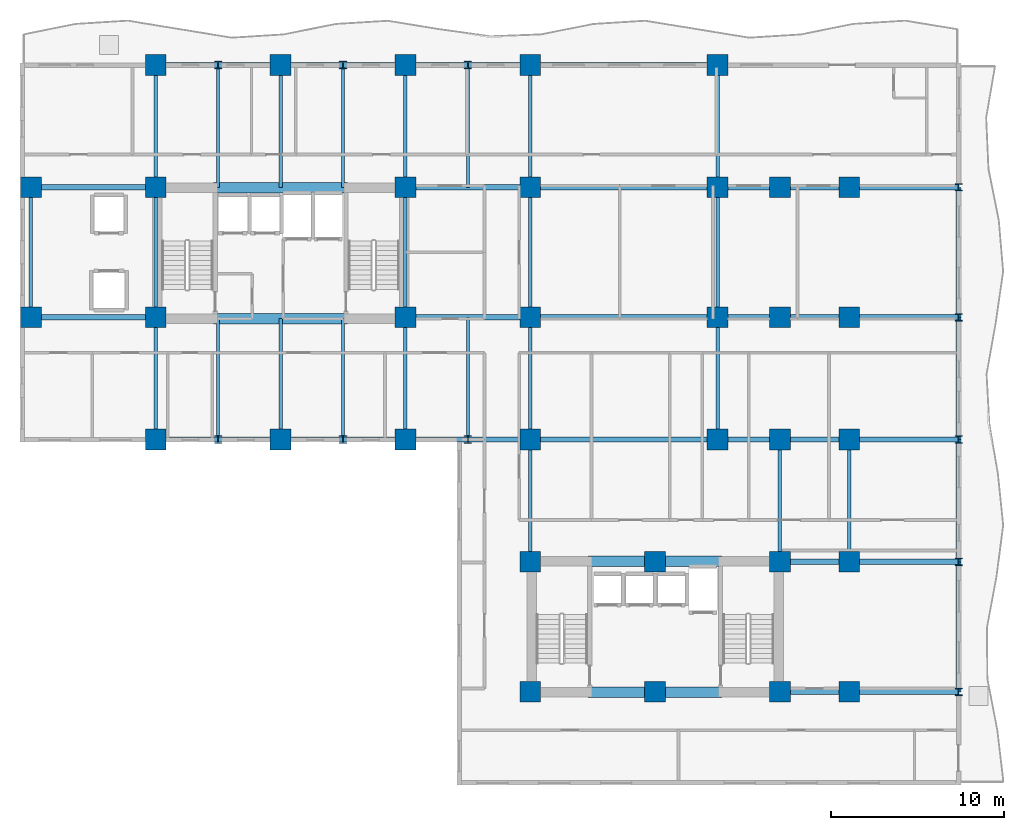
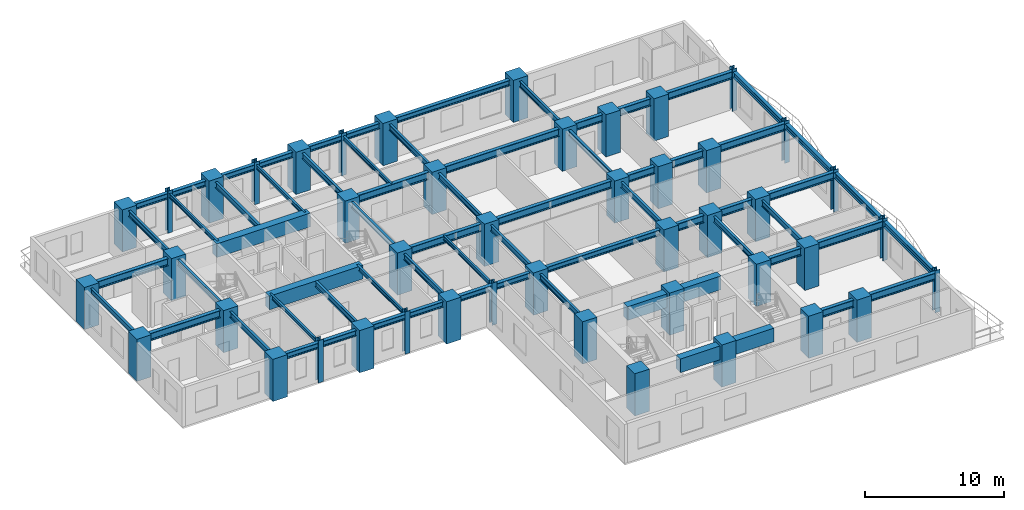
# One storey, part 1 of 11: 65 beams, 45 columns.
"""IFC4 building model written with IfcOpenShell, lengths in metres."""

import ifcopenshell
import ifcopenshell.guid

model = None  # the IFC model being written
_history = None  # IfcOwnerHistory: only IFC2X3 demands one
_inside = {}  # id of a spatial element -> (the spatial element, [elements in it])
_under = {}  # id of a project, library or spatial element -> (it, [spatial elements below it])
_declared = {}  # id of a project -> (the project, [libraries it declares])
_typed = {}  # id of a type object -> (the type object, [elements of that type])
_made_of = {}  # id of a material, layer set ... -> (it, [elements and type objects made of it])


def new_model(schema):
    """Start an empty IFC model of exactly this schema.

    Asked for "IFC4X3", IfcOpenShell would pick the latest addendum, in which some entities
    have other attributes; the version numbers below select the first issue.
    IFC2X3 requires an IfcOwnerHistory on every rooted entity: one is made here for all.
    """
    global model, _history
    if schema == "IFC4X3":
        model = ifcopenshell.file(schema_version=(4, 3, 0, 0))
    else:
        model = ifcopenshell.file(schema=schema)
    _inside.clear()
    _under.clear()
    _declared.clear()
    _typed.clear()
    _made_of.clear()
    _history = None
    if model.schema == "IFC2X3":
        org = make("IfcOrganization", Name="unknown")
        user = make(
            "IfcPersonAndOrganization",
            ThePerson=make("IfcPerson", FamilyName="unknown"),
            TheOrganization=org,
        )
        app = make(
            "IfcApplication",
            ApplicationDeveloper=org,
            Version="unknown",
            ApplicationFullName="unknown",
            ApplicationIdentifier="unknown",
        )
        _history = make(
            "IfcOwnerHistory",
            OwningUser=user,
            OwningApplication=app,
            ChangeAction="ADDED",
            CreationDate=0,
        )
    return model


def make(cls, **values):
    """One entity of the class cls with the attributes given. An attribute that is None is left unset."""
    return model.create_entity(
        cls, **{name: value for name, value in values.items() if value is not None}
    )


def rooted(cls, **values):
    """An entity with a GlobalId (a new one), such as an element, a storey or a relation."""
    return make(cls, GlobalId=ifcopenshell.guid.new(), OwnerHistory=_history, **values)


def si_unit(unit_type, name, prefix=None):
    """IfcSIUnit, for example si_unit("LENGTHUNIT", "METRE", prefix="MILLI")."""
    return make("IfcSIUnit", UnitType=unit_type, Prefix=prefix, Name=name)


def assignment(units):
    """IfcUnitAssignment: the units of a project."""
    return None if units is None else make("IfcUnitAssignment", Units=units)


def point(xyz):
    """IfcCartesianPoint."""
    return None if xyz is None else make("IfcCartesianPoint", Coordinates=xyz)


def direction(xyz):
    """IfcDirection."""
    return None if xyz is None else make("IfcDirection", DirectionRatios=xyz)


def frame(location, z_axis=None, x_axis=None):
    """IfcAxis2Placement3D, a coordinate frame: its origin and axes. An axis left out is left unset."""
    return make(
        "IfcAxis2Placement3D",
        Location=point(location),
        Axis=direction(z_axis),
        RefDirection=direction(x_axis),
    )


def frame_2d(location, x_axis=None):
    """IfcAxis2Placement2D, a coordinate frame in the plane: its origin and x axis."""
    return make(
        "IfcAxis2Placement2D", Location=point(location), RefDirection=direction(x_axis)
    )


def origin():
    """The frame at (0, 0, 0) with its axes left unset."""
    return frame((0.0, 0.0, 0.0))


def origin_2d():
    """The frame at (0, 0) in the plane with its x axis left unset."""
    return frame_2d((0.0, 0.0))


def place(relative_to, where):
    """IfcLocalPlacement: puts the frame where relative to a parent placement (None: the world)."""
    return make(
        "IfcLocalPlacement", PlacementRelTo=relative_to, RelativePlacement=where
    )


def context(
    kind, dimensions, precision=None, world=None, true_north=None, identifier=None
):
    """IfcGeometricRepresentationContext, for example the 3D "Model" context."""
    return make(
        "IfcGeometricRepresentationContext",
        ContextIdentifier=identifier,
        ContextType=kind,
        CoordinateSpaceDimension=dimensions,
        Precision=precision,
        WorldCoordinateSystem=world,
        TrueNorth=true_north,
    )


def subcontext(parent, identifier, kind, view, scale=None):
    """IfcGeometricRepresentationSubContext, for example "Body" below "Model"."""
    return make(
        "IfcGeometricRepresentationSubContext",
        ContextIdentifier=identifier,
        ContextType=kind,
        ParentContext=parent,
        TargetScale=scale,
        TargetView=view,
    )


def project(units=None, contexts=None):
    """IfcProject with its units and contexts."""
    return rooted(
        "IfcProject",
        Name="project",
        RepresentationContexts=contexts,
        UnitsInContext=assignment(units),
    )


def spatial(cls, under=None, at=None, **own):
    """A site, building, storey or space (cls), placed at a placement, below another one or the project."""
    s = rooted(cls, ObjectPlacement=at, **own)
    if under is not None:
        _under.setdefault(under.id(), (under, []))[1].append(s)
    return s


def profile(cls, at=None, kind="AREA", **sizes):
    """A parametric profile (cls). Its sizes go by their IFC names, for example OverallWidth=200.0."""
    return make(cls, ProfileType=kind, Position=at, **sizes)


def rectangle(**sizes):
    """IfcRectangleProfileDef."""
    return profile("IfcRectangleProfileDef", **sizes)


def i_section(**sizes):
    """IfcIShapeProfileDef."""
    return profile("IfcIShapeProfileDef", **sizes)


def extrude(swept, where, along, depth):
    """IfcExtrudedAreaSolid: the profile swept, set in the frame where, extruded along a direction by depth."""
    return make(
        "IfcExtrudedAreaSolid",
        SweptArea=swept,
        Position=where,
        ExtrudedDirection=direction(along),
        Depth=depth,
    )


def shape(context_of_items, identifier, shape_type, items):
    """IfcShapeRepresentation: the items that make up one representation, for example the "Body"."""
    return make(
        "IfcShapeRepresentation",
        ContextOfItems=context_of_items,
        RepresentationIdentifier=identifier,
        RepresentationType=shape_type,
        Items=items,
    )


def source(mapping_origin, context_of_items, identifier, shape_type, items):
    """IfcRepresentationMap: a shape defined once, which mapped items show again and again."""
    return make(
        "IfcRepresentationMap",
        MappingOrigin=mapping_origin,
        MappedRepresentation=shape(context_of_items, identifier, shape_type, items),
    )


def transform(
    local_origin,
    x_axis=None,
    y_axis=None,
    z_axis=None,
    scale=None,
    scale2=None,
    scale3=None,
    uniform=True,
):
    """IfcCartesianTransformationOperator3D, or its non-uniform kind. x_axis, y_axis, z_axis: its Axis1, 2, 3."""
    if uniform:
        return make(
            "IfcCartesianTransformationOperator3D",
            Axis1=direction(x_axis),
            Axis2=direction(y_axis),
            LocalOrigin=point(local_origin),
            Scale=scale,
            Axis3=direction(z_axis),
        )
    return make(
        "IfcCartesianTransformationOperator3DnonUniform",
        Axis1=direction(x_axis),
        Axis2=direction(y_axis),
        LocalOrigin=point(local_origin),
        Scale=scale,
        Axis3=direction(z_axis),
        Scale2=scale2,
        Scale3=scale3,
    )


def mapped(mapping_source, mapping_target):
    """IfcMappedItem: shows the shape of a source again, moved by a transform."""
    return make(
        "IfcMappedItem", MappingSource=mapping_source, MappingTarget=mapping_target
    )


def material(Name=None, Category=None):
    """IfcMaterial."""
    return make("IfcMaterial", Name=Name, Category=Category)


def material_profile(
    of_material, cross_section, Name=None, Category=None, Priority=None
):
    """IfcMaterialProfile: a cross section and its material."""
    return make(
        "IfcMaterialProfile",
        Name=Name,
        Material=of_material,
        Profile=cross_section,
        Priority=Priority,
        Category=Category,
    )


def profile_set(profiles, Name=None, composite=None):
    """IfcMaterialProfileSet."""
    return make(
        "IfcMaterialProfileSet",
        Name=Name,
        MaterialProfiles=profiles,
        CompositeProfile=composite,
    )


def made_of(thing, what):
    """Note that an element or type object is made of a material, layer set ...; save() writes the relation."""
    if what is not None:
        _made_of.setdefault(what.id(), (what, []))[1].append(thing)
    return thing


def type_object(cls, material=None, **own):
    """A type object (cls), such as IfcWallType, which elements share."""
    return made_of(rooted(cls, **own), material)


def element(
    cls,
    number,
    at=None,
    inside=None,
    cuts=None,
    type_object=None,
    material=None,
    context=None,
    identifier="Body",
    shape_type=None,
    held_by="IfcProductDefinitionShape",
    body=None,
    shapes=None,
    **own,
):
    """One element of the class cls, such as IfcWall. Its Tag is "e" and its number.

    at: its placement. inside: the storey or other place that contains it. cuts: it is an
    opening in that element (IfcRelVoidsElement). A single representation is given by context,
    identifier, shape_type and body (its items); several are given by shapes. held_by: the class
    of the entity that holds the representations. save() writes the other relations.
    """
    e = rooted(cls, Tag="e%d" % number, ObjectPlacement=at, **own)
    if body is not None:
        shapes = [shape(context, identifier, shape_type, body)]
    if shapes is not None:
        e.Representation = make(held_by, Representations=shapes)
    if inside is not None:
        _inside.setdefault(inside.id(), (inside, []))[1].append(e)
    if cuts is not None:
        rooted(
            "IfcRelVoidsElement", RelatingBuildingElement=cuts, RelatedOpeningElement=e
        )
    if type_object is not None:
        _typed.setdefault(type_object.id(), (type_object, []))[1].append(e)
    return made_of(e, material)


def aggregate(whole, parts):
    """IfcRelAggregates: a whole, such as a stair, and the parts it consists of."""
    return rooted("IfcRelAggregates", RelatingObject=whole, RelatedObjects=parts)


def save(model, path):
    """Write the relations noted so far, then the file.

    IfcRelAggregates (storeys below a building ...), IfcRelContainedInSpatialStructure (elements
    in a storey), IfcRelDefinesByType, IfcRelAssociatesMaterial and IfcRelDeclares: one each for
    every whole, place, type object, material and project.
    """
    for whole, parts in _under.values():
        aggregate(whole, parts)
    for where, things in _inside.values():
        rooted(
            "IfcRelContainedInSpatialStructure",
            RelatedElements=things,
            RelatingStructure=where,
        )
    for kind, things in _typed.values():
        rooted("IfcRelDefinesByType", RelatedObjects=things, RelatingType=kind)
    for what, things in _made_of.values():
        rooted("IfcRelAssociatesMaterial", RelatedObjects=things, RelatingMaterial=what)
    for by, libraries in _declared.values():
        rooted("IfcRelDeclares", RelatingContext=by, RelatedDefinitions=libraries)
    model.write(path)


model = new_model("IFC4")

# Units and contexts
model_context = context("Model", 3, precision=1e-05, world=origin(), true_north=direction((0.0, 1.0)))
body_context = subcontext(model_context, "Body", "Model", "MODEL_VIEW")
ifc_project = project(units=[si_unit("LENGTHUNIT", "METRE"), si_unit("AREAUNIT", "SQUARE_METRE"), si_unit("VOLUMEUNIT", "CUBIC_METRE"), si_unit("PLANEANGLEUNIT", "RADIAN"), si_unit("MASSUNIT", "GRAM", prefix="KILO")], contexts=[model_context])

# Site, building, storey
site_placement = place(None, origin())
site = spatial("IfcSite", under=ifc_project, at=site_placement, CompositionType="ELEMENT")
building_placement = place(site_placement, origin())
building = spatial("IfcBuilding", under=site, at=building_placement, Name="Kaliganga Portal Commons", CompositionType="ELEMENT")
storey_placement = place(building_placement, frame((0.0, 0.0, 86.0)))
storey = spatial("IfcBuildingStorey", under=building, at=storey_placement, Name="L21", CompositionType="ELEMENT", Elevation=86.0)

# Columns
ifc_material_1 = material(Name="Concrete C60/75", Category="concrete")
ifc_material_profile_1 = material_profile(ifc_material_1, rectangle(XDim=1.199951171875, YDim=1.199951171875, at=origin_2d()), Name="RC 1200x1200")
ifc_profile_set_1 = profile_set([ifc_material_profile_1], Name="Concrete C60/75")
column_type_1 = type_object("IfcColumnType", Name="COL-MEGA-Z2", PredefinedType="COLUMN", material=ifc_profile_set_1)
shared_shape_1 = source(origin(), body_context, "Body", "SweptSolid", [
    extrude(rectangle(XDim=1.199951171875, YDim=1.199951171875, at=origin_2d()), origin(), (0.0, 0.0, 1.0), 3.699951171875),
])
for number, where, z_axis, x_axis, name in (
    (1, (7.199951171875, 28.64990234375, 0.0), (0.0, 0.0, 1.0), (1.0, 0.0, 0.0), "Column MC-03 L21"),
    (2, (7.199951171875, 36.14990234375, 0.0), (0.0, 0.0, 1.0), (1.0, 0.0, 0.0), "Column MC-03 L21"),
    (3, (14.39990234375, 21.60009765625, 0.0), (0.0, 0.0, 1.0), (1.0, 0.0, 0.0), "Column MC-03 L21"),
    (4, (14.39990234375, 28.64990234375, 0.0), (0.0, 0.0, 1.0), (1.0, 0.0, 0.0), "Column MC-03 L21"),
    (5, (14.39990234375, 36.14990234375, 0.0), (0.0, 0.0, 1.0), (1.0, 0.0, 0.0), "Column MC-03 L21"),
    (6, (14.39990234375, 43.199951171875, 0.0), (0.0, 0.0, 1.0), (1.0, 0.0, 0.0), "Column MC-03 L21"),
    (7, (21.60009765625, 21.60009765625, 0.0), (0.0, 0.0, 1.0), (1.0, 0.0, 0.0), "Column MC-03 L21"),
    (8, (21.60009765625, 43.199951171875, 0.0), (0.0, 0.0, 1.0), (1.0, 0.0, 0.0), "Column MC-03 L21"),
    (9, (28.800048828125, 21.60009765625, 0.0), (0.0, 0.0, 1.0), (1.0, 0.0, 0.0), "Column MC-03 L21"),
    (10, (28.800048828125, 28.64990234375, 0.0), (0.0, 0.0, 1.0), (1.0, 0.0, 0.0), "Column MC-03 L21"),
    (11, (28.800048828125, 36.14990234375, 0.0), (0.0, 0.0, 1.0), (1.0, 0.0, 0.0), "Column MC-03 L21"),
    (12, (28.800048828125, 43.199951171875, 0.0), (0.0, 0.0, 1.0), (1.0, 0.0, 0.0), "Column MC-03 L21"),
    (13, (36.0, 21.60009765625, 0.0), (0.0, 0.0, 1.0), (1.0, 0.0, 0.0), "Column MC-03 L21"),
    (14, (36.0, 43.199951171875, 0.0), (0.0, 0.0, 1.0), (1.0, 0.0, 0.0), "Column MC-03 L21"),
    (15, (36.0, 28.64990234375, 0.0), (0.0, 0.0, 1.0), (1.0, 0.0, 0.0), "Column MC-03 L21"),
    (16, (36.0, 36.14990234375, 0.0), (0.0, 0.0, 1.0), (1.0, 0.0, 0.0), "Column MC-03 L21"),
    (17, (46.800048828125, 21.60009765625, 0.0), (0.0, 0.0, 1.0), (1.0, 0.0, 0.0), "Column MC-03 L21"),
    (18, (46.800048828125, 28.64990234375, 0.0), (0.0, 0.0, 1.0), (1.0, 0.0, 0.0), "Column MC-03 L21"),
    (19, (46.800048828125, 36.14990234375, 0.0), (0.0, 0.0, 1.0), (1.0, 0.0, 0.0), "Column MC-03 L21"),
    (20, (46.800048828125, 43.199951171875, 0.0), (0.0, 0.0, 1.0), (1.0, 0.0, 0.0), "Column MC-03 L21"),
    (21, (36.0, 7.050048828125, 0.0), (0.0, 0.0, 1.0), (1.0, 0.0, 0.0), "Column MC-03 L21"),
    (22, (36.0, 14.550048828125, 0.0), (0.0, 0.0, 1.0), (1.0, 0.0, 0.0), "Column MC-03 L21"),
    (23, (43.199951171875, 7.050048828125, 0.0), (0.0, 0.0, 1.0), (1.0, 0.0, 0.0), "Column MC-03 L21"),
    (24, (43.199951171875, 14.550048828125, 0.0), (0.0, 0.0, 1.0), (1.0, 0.0, 0.0), "Column MC-03 L21"),
    (25, (50.39990234375, 7.050048828125, 0.0), (0.0, 0.0, 1.0), (1.0, 0.0, 0.0), "Column MC-03 L21"),
    (26, (50.39990234375, 14.550048828125, 0.0), (0.0, 0.0, 1.0), (1.0, 0.0, 0.0), "Column MC-03 L21"),
    (27, (50.39990234375, 21.60009765625, 0.0), (0.0, 0.0, 1.0), (1.0, 0.0, 0.0), "Column MC-03 L21"),
    (28, (50.39990234375, 28.64990234375, 0.0), (0.0, 0.0, 1.0), (1.0, 0.0, 0.0), "Column MC-03 L21"),
    (29, (50.39990234375, 36.14990234375, 0.0), (0.0, 0.0, 1.0), (1.0, 0.0, 0.0), "Column MC-03 L21"),
    (30, (54.39990234375, 7.050048828125, 0.0), (0.0, 0.0, 1.0), (1.0, 0.0, 0.0), "Column MC-03 L21"),
    (31, (54.39990234375, 14.550048828125, 0.0), (0.0, 0.0, 1.0), (1.0, 0.0, 0.0), "Column MC-03 L21"),
    (32, (54.39990234375, 21.60009765625, 0.0), (0.0, 0.0, 1.0), (1.0, 0.0, 0.0), "Column MC-03 L21"),
    (33, (54.39990234375, 28.64990234375, 0.0), (0.0, 0.0, 1.0), (1.0, 0.0, 0.0), "Column MC-03 L21"),
    (34, (54.39990234375, 36.14990234375, 0.0), (0.0, 0.0, 1.0), (1.0, 0.0, 0.0), "Column MC-03 L21"),
):
    element("IfcColumn", number, at=place(storey_placement, frame(where, z_axis=z_axis, x_axis=x_axis)), inside=storey, type_object=column_type_1, Name=name, PredefinedType="COLUMN", context=body_context, shape_type="MappedRepresentation", body=[
        mapped(shared_shape_1, transform((0.0, 0.0, 0.0), x_axis=(1.0, 0.0, 0.0), y_axis=(0.0, 1.0, 0.0), z_axis=(0.0, 0.0, 1.0), scale=1.0)),
    ])
ifc_material_2 = material(Name="Structural steel S460M", Category="steel")
ifc_material_profile_2 = material_profile(ifc_material_2, i_section(OverallWidth=0.408935546875, OverallDepth=0.429931640625, WebThickness=0.0244140625, FlangeThickness=0.033447265625, FilletRadius=0.014892578125, at=origin_2d()), Name="HD 400x421")
ifc_profile_set_2 = profile_set([ifc_material_profile_2], Name="Structural steel S460M wide-flange")
column_type_2 = type_object("IfcColumnType", Name="COL-TUBE-B2", PredefinedType="COLUMN", material=ifc_profile_set_2)
shared_shape_2 = source(origin(), body_context, "Body", "SweptSolid", [
    extrude(i_section(OverallWidth=0.408935546875, OverallDepth=0.429931640625, WebThickness=0.0244140625, FlangeThickness=0.033447265625, FilletRadius=0.014892578125, at=origin_2d()), origin(), (0.0, 0.0, 1.0), 3.699951171875),
])
for number, where, z_axis, x_axis, name in (
    (35, (18.0, 21.60009765625, 0.0), (0.0, 0.0, 1.0), (1.0, 0.0, 0.0), "Column TC-02 L21"),
    (36, (18.0, 43.199951171875, 0.0), (0.0, 0.0, 1.0), (1.0, 0.0, 0.0), "Column TC-02 L21"),
    (37, (25.199951171875, 21.60009765625, 0.0), (0.0, 0.0, 1.0), (1.0, 0.0, 0.0), "Column TC-02 L21"),
    (38, (25.199951171875, 43.199951171875, 0.0), (0.0, 0.0, 1.0), (1.0, 0.0, 0.0), "Column TC-02 L21"),
    (39, (32.39990234375, 21.60009765625, 0.0), (0.0, 0.0, 1.0), (1.0, 0.0, 0.0), "Column TC-02 L21"),
    (40, (32.39990234375, 43.199951171875, 0.0), (0.0, 0.0, 1.0), (1.0, 0.0, 0.0), "Column TC-02 L21"),
    (41, (60.699951171875, 7.050048828125, 0.0), (0.0, 0.0, 1.0), (1.0, 0.0, 0.0), "Column TC-02 L21"),
    (42, (60.699951171875, 14.550048828125, 0.0), (0.0, 0.0, 1.0), (1.0, 0.0, 0.0), "Column TC-02 L21"),
    (43, (60.699951171875, 21.60009765625, 0.0), (0.0, 0.0, 1.0), (1.0, 0.0, 0.0), "Column TC-02 L21"),
    (44, (60.699951171875, 28.64990234375, 0.0), (0.0, 0.0, 1.0), (1.0, 0.0, 0.0), "Column TC-02 L21"),
    (45, (60.699951171875, 36.14990234375, 0.0), (0.0, 0.0, 1.0), (1.0, 0.0, 0.0), "Column TC-02 L21"),
):
    element("IfcColumn", number, at=place(storey_placement, frame(where, z_axis=z_axis, x_axis=x_axis)), inside=storey, type_object=column_type_2, Name=name, PredefinedType="COLUMN", context=body_context, shape_type="MappedRepresentation", body=[
        mapped(shared_shape_2, transform((0.0, 0.0, 0.0), x_axis=(1.0, 0.0, 0.0), y_axis=(0.0, 1.0, 0.0), z_axis=(0.0, 0.0, 1.0), scale=1.0)),
    ])

# Beams
ifc_material_profile_3 = material_profile(ifc_material_1, rectangle(XDim=0.60009765625, YDim=1.199951171875, at=origin_2d()), Name="RC 600x1200")
ifc_profile_set_3 = profile_set([ifc_material_profile_3], Name="Concrete C60/75")
beam_type_1 = type_object("IfcBeamType", Name="BM-CPL-1200", PredefinedType="LINTEL", material=ifc_profile_set_3)
shared_shape_3 = source(origin(), body_context, "Body", "SweptSolid", [
    extrude(rectangle(XDim=0.60009765625, YDim=1.199951171875, at=origin_2d()), origin(), (0.0, 0.0, 1.0), 7.739990234375),
])
for number, where, z_axis, x_axis, name in (
    (46, (17.72998046875, 28.574951171875, 2.85009765625), (1.0, 0.0, 0.0), (0.0, 1.0, 0.0), "BM CPL COREA L21 S"),
    (47, (17.72998046875, 36.125, 2.85009765625), (1.0, 0.0, 0.0), (0.0, 1.0, 0.0), "BM CPL COREA L21 N"),
    (48, (39.330078125, 7.02490234375, 2.85009765625), (1.0, 0.0, 0.0), (0.0, 1.0, 0.0), "BM CPL COREB L21 S"),
    (49, (39.330078125, 14.574951171875, 2.85009765625), (1.0, 0.0, 0.0), (0.0, 1.0, 0.0), "BM CPL COREB L21 N"),
):
    element("IfcBeam", number, at=place(storey_placement, frame(where, z_axis=z_axis, x_axis=x_axis)), inside=storey, type_object=beam_type_1, Name=name, PredefinedType="LINTEL", context=body_context, shape_type="MappedRepresentation", body=[
        mapped(shared_shape_3, transform((0.0, 0.0, 0.0), x_axis=(1.0, 0.0, 0.0), y_axis=(0.0, 1.0, 0.0), z_axis=(0.0, 0.0, 1.0), scale=1.0)),
    ])
ifc_material_3 = material(Name="Structural steel S355J2", Category="steel")
ifc_material_profile_4 = material_profile(ifc_material_3, i_section(OverallWidth=0.300048828125, OverallDepth=0.5, WebThickness=0.014404296875, FlangeThickness=0.028076171875, FilletRadius=0.027099609375, at=origin_2d()), Name="HE 500 B")
ifc_profile_set_4 = profile_set([ifc_material_profile_4], Name="Structural steel S355J2 wide-flange")
beam_type_2 = type_object("IfcBeamType", Name="BM-SPAND-500", PredefinedType="SPANDREL", material=ifc_profile_set_4)
shared_shape_4 = source(origin(), body_context, "Body", "SweptSolid", [
    extrude(i_section(OverallWidth=0.300048828125, OverallDepth=0.5, WebThickness=0.014404296875, FlangeThickness=0.028076171875, FilletRadius=0.027099609375, at=origin_2d()), origin(), (0.0, 0.0, 1.0), 10.800048828125),
])
for number, where, z_axis, x_axis, name in (
    (50, (36.0, 43.199951171875, 3.199951171875), (1.0, 0.0, 0.0), (0.0, 1.0, 0.0), "BM SP L21 AN 7"),
    (51, (36.0, 21.60009765625, 3.199951171875), (1.0, 0.0, 0.0), (0.0, 1.0, 0.0), "BM SP L21 AS 7"),
):
    element("IfcBeam", number, at=place(storey_placement, frame(where, z_axis=z_axis, x_axis=x_axis)), inside=storey, type_object=beam_type_2, Name=name, PredefinedType="SPANDREL", context=body_context, shape_type="MappedRepresentation", body=[
        mapped(shared_shape_4, transform((0.0, 0.0, 0.0), x_axis=(1.0, 0.0, 0.0), y_axis=(0.0, 1.0, 0.0), z_axis=(0.0, 0.0, 1.0), scale=1.0)),
    ])
shared_shape_5 = source(origin(), body_context, "Body", "SweptSolid", [
    extrude(i_section(OverallWidth=0.300048828125, OverallDepth=0.5, WebThickness=0.014404296875, FlangeThickness=0.028076171875, FilletRadius=0.027099609375, at=origin_2d()), origin(), (0.0, 0.0, 1.0), 7.5),
])
for number, where, z_axis, x_axis, name in (
    (52, (60.699951171875, 7.050048828125, 3.199951171875), (0.0, 1.0, 0.0), (-1.0, 0.0, 0.0), "BM SP L21 BE 1"),
    (53, (60.699951171875, 28.64990234375, 3.199951171875), (0.0, 1.0, 0.0), (-1.0, 0.0, 0.0), "BM SP L21 BE 4"),
):
    element("IfcBeam", number, at=place(storey_placement, frame(where, z_axis=z_axis, x_axis=x_axis)), inside=storey, type_object=beam_type_2, Name=name, PredefinedType="SPANDREL", context=body_context, shape_type="MappedRepresentation", body=[
        mapped(shared_shape_5, transform((0.0, 0.0, 0.0), x_axis=(1.0, 0.0, 0.0), y_axis=(0.0, 1.0, 0.0), z_axis=(0.0, 0.0, 1.0), scale=1.0)),
    ])
shared_shape_6 = source(origin(), body_context, "Body", "SweptSolid", [
    extrude(i_section(OverallWidth=0.300048828125, OverallDepth=0.5, WebThickness=0.014404296875, FlangeThickness=0.028076171875, FilletRadius=0.027099609375, at=origin_2d()), origin(), (0.0, 0.0, 1.0), 7.050048828125),
])
beam_1_placement = place(storey_placement, frame((60.699951171875, 14.550048828125, 3.199951171875), z_axis=(0.0, 1.0, 0.0), x_axis=(-1.0, 0.0, 0.0)))
element("IfcBeam", 54, at=beam_1_placement, inside=storey, type_object=beam_type_2, Name="BM SP L21 BE 2", PredefinedType="SPANDREL", context=body_context, shape_type="MappedRepresentation", body=[
    mapped(shared_shape_6, transform((0.0, 0.0, 0.0), x_axis=(1.0, 0.0, 0.0), y_axis=(0.0, 1.0, 0.0), z_axis=(0.0, 0.0, 1.0), scale=1.0)),
])
shared_shape_7 = source(origin(), body_context, "Body", "SweptSolid", [
    extrude(i_section(OverallWidth=0.300048828125, OverallDepth=0.5, WebThickness=0.014404296875, FlangeThickness=0.028076171875, FilletRadius=0.027099609375, at=origin_2d()), origin(), (0.0, 0.0, 1.0), 7.0498046875),
])
beam_2_placement = place(storey_placement, frame((60.699951171875, 21.60009765625, 3.199951171875), z_axis=(0.0, 1.0, 0.0), x_axis=(-1.0, 0.0, 0.0)))
element("IfcBeam", 55, at=beam_2_placement, inside=storey, type_object=beam_type_2, Name="BM SP L21 BE 3", PredefinedType="SPANDREL", context=body_context, shape_type="MappedRepresentation", body=[
    mapped(shared_shape_7, transform((0.0, 0.0, 0.0), x_axis=(1.0, 0.0, 0.0), y_axis=(0.0, 1.0, 0.0), z_axis=(0.0, 0.0, 1.0), scale=1.0)),
])
shared_shape_8 = source(origin(), body_context, "Body", "SweptSolid", [
    extrude(i_section(OverallWidth=0.300048828125, OverallDepth=0.5, WebThickness=0.014404296875, FlangeThickness=0.028076171875, FilletRadius=0.027099609375, at=origin_2d()), origin(), (0.0, 0.0, 1.0), 3.60009765625),
])
for number, where, z_axis, x_axis, name in (
    (56, (14.39990234375, 43.199951171875, 3.199951171875), (1.0, 0.0, 0.0), (0.0, 1.0, 0.0), "BM SP L21 AN 1"),
    (57, (18.0, 43.199951171875, 3.199951171875), (1.0, 0.0, 0.0), (0.0, 1.0, 0.0), "BM SP L21 AN 2"),
    (58, (25.199951171875, 43.199951171875, 3.199951171875), (1.0, 0.0, 0.0), (0.0, 1.0, 0.0), "BM SP L21 AN 4"),
    (59, (32.39990234375, 43.199951171875, 3.199951171875), (1.0, 0.0, 0.0), (0.0, 1.0, 0.0), "BM SP L21 AN 6"),
    (60, (14.39990234375, 21.60009765625, 3.199951171875), (1.0, 0.0, 0.0), (0.0, 1.0, 0.0), "BM SP L21 AS 1"),
    (61, (18.0, 21.60009765625, 3.199951171875), (1.0, 0.0, 0.0), (0.0, 1.0, 0.0), "BM SP L21 AS 2"),
    (62, (25.199951171875, 21.60009765625, 3.199951171875), (1.0, 0.0, 0.0), (0.0, 1.0, 0.0), "BM SP L21 AS 4"),
    (63, (32.39990234375, 21.60009765625, 3.199951171875), (1.0, 0.0, 0.0), (0.0, 1.0, 0.0), "BM SP L21 AS 6"),
):
    element("IfcBeam", number, at=place(storey_placement, frame(where, z_axis=z_axis, x_axis=x_axis)), inside=storey, type_object=beam_type_2, Name=name, PredefinedType="SPANDREL", context=body_context, shape_type="MappedRepresentation", body=[
        mapped(shared_shape_8, transform((0.0, 0.0, 0.0), x_axis=(1.0, 0.0, 0.0), y_axis=(0.0, 1.0, 0.0), z_axis=(0.0, 0.0, 1.0), scale=1.0)),
    ])
shared_shape_9 = source(origin(), body_context, "Body", "SweptSolid", [
    extrude(i_section(OverallWidth=0.300048828125, OverallDepth=0.5, WebThickness=0.014404296875, FlangeThickness=0.028076171875, FilletRadius=0.027099609375, at=origin_2d()), origin(), (0.0, 0.0, 1.0), 3.599853515625),
])
for number, where, z_axis, x_axis, name in (
    (64, (21.60009765625, 43.199951171875, 3.199951171875), (1.0, 0.0, 0.0), (0.0, 1.0, 0.0), "BM SP L21 AN 3"),
    (65, (28.800048828125, 43.199951171875, 3.199951171875), (1.0, 0.0, 0.0), (0.0, 1.0, 0.0), "BM SP L21 AN 5"),
    (66, (21.60009765625, 21.60009765625, 3.199951171875), (1.0, 0.0, 0.0), (0.0, 1.0, 0.0), "BM SP L21 AS 3"),
    (67, (28.800048828125, 21.60009765625, 3.199951171875), (1.0, 0.0, 0.0), (0.0, 1.0, 0.0), "BM SP L21 AS 5"),
):
    element("IfcBeam", number, at=place(storey_placement, frame(where, z_axis=z_axis, x_axis=x_axis)), inside=storey, type_object=beam_type_2, Name=name, PredefinedType="SPANDREL", context=body_context, shape_type="MappedRepresentation", body=[
        mapped(shared_shape_9, transform((0.0, 0.0, 0.0), x_axis=(1.0, 0.0, 0.0), y_axis=(0.0, 1.0, 0.0), z_axis=(0.0, 0.0, 1.0), scale=1.0)),
    ])
ifc_material_profile_5 = material_profile(ifc_material_3, i_section(OverallWidth=0.300048828125, OverallDepth=0.64990234375, WebThickness=0.01611328125, FlangeThickness=0.031005859375, FilletRadius=0.027099609375, at=origin_2d()), Name="HE 650 B")
ifc_profile_set_5 = profile_set([ifc_material_profile_5], Name="Structural steel S355J2 wide-flange")
beam_type_3 = type_object("IfcBeamType", Name="BM-GIRD-650", PredefinedType="USERDEFINED", material=ifc_profile_set_5)
shared_shape_10 = source(origin(), body_context, "Body", "SweptSolid", [
    extrude(i_section(OverallWidth=0.300048828125, OverallDepth=0.64990234375, WebThickness=0.01611328125, FlangeThickness=0.031005859375, FilletRadius=0.027099609375, at=origin_2d()), origin(), (0.0, 0.0, 1.0), 3.599853515625),
])
for number, where, z_axis, x_axis, name in (
    (68, (46.800048828125, 21.60009765625, 3.125), (1.0, 0.0, 0.0), (0.0, 1.0, 0.0), "BM G L21 BKE216 1"),
    (69, (46.800048828125, 28.64990234375, 3.125), (1.0, 0.0, 0.0), (0.0, 1.0, 0.0), "BM G L21 BKE286 1"),
    (70, (46.800048828125, 36.14990234375, 3.125), (1.0, 0.0, 0.0), (0.0, 1.0, 0.0), "BM G L21 BKE362 1"),
):
    element("IfcBeam", number, at=place(storey_placement, frame(where, z_axis=z_axis, x_axis=x_axis)), inside=storey, type_object=beam_type_3, Name=name, ObjectType="GIRDER", PredefinedType="USERDEFINED", context=body_context, shape_type="MappedRepresentation", body=[
        mapped(shared_shape_10, transform((0.0, 0.0, 0.0), x_axis=(1.0, 0.0, 0.0), y_axis=(0.0, 1.0, 0.0), z_axis=(0.0, 0.0, 1.0), scale=1.0)),
    ])
shared_shape_11 = source(origin(), body_context, "Body", "SweptSolid", [
    extrude(i_section(OverallWidth=0.300048828125, OverallDepth=0.64990234375, WebThickness=0.01611328125, FlangeThickness=0.031005859375, FilletRadius=0.027099609375, at=origin_2d()), origin(), (0.0, 0.0, 1.0), 7.199951171875),
])
for number, where, z_axis, x_axis, name in (
    (71, (7.199951171875, 28.64990234375, 3.125), (1.0, 0.0, 0.0), (0.0, 1.0, 0.0), "BM G L21 WAH_S 1"),
    (72, (7.199951171875, 36.14990234375, 3.125), (1.0, 0.0, 0.0), (0.0, 1.0, 0.0), "BM G L21 WAH_N 1"),
    (73, (28.800048828125, 28.64990234375, 3.125), (1.0, 0.0, 0.0), (0.0, 1.0, 0.0), "BM G L21 WAE_S 1"),
    (74, (28.800048828125, 36.14990234375, 3.125), (1.0, 0.0, 0.0), (0.0, 1.0, 0.0), "BM G L21 WAE_N 1"),
):
    element("IfcBeam", number, at=place(storey_placement, frame(where, z_axis=z_axis, x_axis=x_axis)), inside=storey, type_object=beam_type_3, Name=name, ObjectType="GIRDER", PredefinedType="USERDEFINED", context=body_context, shape_type="MappedRepresentation", body=[
        mapped(shared_shape_11, transform((0.0, 0.0, 0.0), x_axis=(1.0, 0.0, 0.0), y_axis=(0.0, 1.0, 0.0), z_axis=(0.0, 0.0, 1.0), scale=1.0)),
    ])
shared_shape_12 = source(origin(), body_context, "Body", "SweptSolid", [
    extrude(i_section(OverallWidth=0.300048828125, OverallDepth=0.64990234375, WebThickness=0.01611328125, FlangeThickness=0.031005859375, FilletRadius=0.027099609375, at=origin_2d()), origin(), (0.0, 0.0, 1.0), 10.800048828125),
])
for number, where, z_axis, x_axis, name in (
    (75, (36.0, 28.64990234375, 3.125), (1.0, 0.0, 0.0), (0.0, 1.0, 0.0), "BM G L21 WAE_S 2"),
    (76, (36.0, 36.14990234375, 3.125), (1.0, 0.0, 0.0), (0.0, 1.0, 0.0), "BM G L21 WAE_N 2"),
):
    element("IfcBeam", number, at=place(storey_placement, frame(where, z_axis=z_axis, x_axis=x_axis)), inside=storey, type_object=beam_type_3, Name=name, ObjectType="GIRDER", PredefinedType="USERDEFINED", context=body_context, shape_type="MappedRepresentation", body=[
        mapped(shared_shape_12, transform((0.0, 0.0, 0.0), x_axis=(1.0, 0.0, 0.0), y_axis=(0.0, 1.0, 0.0), z_axis=(0.0, 0.0, 1.0), scale=1.0)),
    ])
ifc_material_profile_6 = material_profile(ifc_material_3, i_section(OverallWidth=0.169921875, OverallDepth=0.360107421875, WebThickness=0.008056640625, FlangeThickness=0.0126953125, FilletRadius=0.01806640625, at=origin_2d()), Name="IPE 360")
ifc_profile_set_6 = profile_set([ifc_material_profile_6], Name="Structural steel S355J2 wide-flange")
beam_type_4 = type_object("IfcBeamType", Name="BM-JST-360", PredefinedType="JOIST", material=ifc_profile_set_6)
shared_shape_13 = source(origin(), body_context, "Body", "SweptSolid", [
    extrude(i_section(OverallWidth=0.169921875, OverallDepth=0.360107421875, WebThickness=0.008056640625, FlangeThickness=0.0126953125, FilletRadius=0.01806640625, at=origin_2d()), origin(), (0.0, 0.0, 1.0), 7.074951171875),
])
for number, where, z_axis, x_axis, name in (
    (77, (18.0, 36.125, 3.27001953125), (0.0, 1.0, 0.0), (-1.0, 0.0, 0.0), "BM G L21 AN180"),
    (78, (25.199951171875, 36.125, 3.27001953125), (0.0, 1.0, 0.0), (-1.0, 0.0, 0.0), "BM G L21 AN252"),
):
    element("IfcBeam", number, at=place(storey_placement, frame(where, z_axis=z_axis, x_axis=x_axis)), inside=storey, type_object=beam_type_4, Name=name, PredefinedType="JOIST", context=body_context, shape_type="MappedRepresentation", body=[
        mapped(shared_shape_13, transform((0.0, 0.0, 0.0), x_axis=(1.0, 0.0, 0.0), y_axis=(0.0, 1.0, 0.0), z_axis=(0.0, 0.0, 1.0), scale=1.0)),
    ])
shared_shape_14 = source(origin(), body_context, "Body", "SweptSolid", [
    extrude(i_section(OverallWidth=0.169921875, OverallDepth=0.360107421875, WebThickness=0.008056640625, FlangeThickness=0.0126953125, FilletRadius=0.01806640625, at=origin_2d()), origin(), (0.0, 0.0, 1.0), 6.974853515625),
])
for number, where, z_axis, x_axis, name in (
    (79, (18.0, 21.60009765625, 3.27001953125), (0.0, 1.0, 0.0), (-1.0, 0.0, 0.0), "BM G L21 AS180"),
    (80, (25.199951171875, 21.60009765625, 3.27001953125), (0.0, 1.0, 0.0), (-1.0, 0.0, 0.0), "BM G L21 AS252"),
):
    element("IfcBeam", number, at=place(storey_placement, frame(where, z_axis=z_axis, x_axis=x_axis)), inside=storey, type_object=beam_type_4, Name=name, PredefinedType="JOIST", context=body_context, shape_type="MappedRepresentation", body=[
        mapped(shared_shape_14, transform((0.0, 0.0, 0.0), x_axis=(1.0, 0.0, 0.0), y_axis=(0.0, 1.0, 0.0), z_axis=(0.0, 0.0, 1.0), scale=1.0)),
    ])
shared_shape_15 = source(origin(), body_context, "Body", "SweptSolid", [
    extrude(i_section(OverallWidth=0.169921875, OverallDepth=0.360107421875, WebThickness=0.008056640625, FlangeThickness=0.0126953125, FilletRadius=0.01806640625, at=origin_2d()), origin(), (0.0, 0.0, 1.0), 7.050048828125),
])
beam_3_placement = place(storey_placement, frame((32.39990234375, 36.14990234375, 3.27001953125), z_axis=(0.0, 1.0, 0.0), x_axis=(-1.0, 0.0, 0.0)))
element("IfcBeam", 81, at=beam_3_placement, inside=storey, type_object=beam_type_4, Name="BM G L21 AN324", PredefinedType="JOIST", context=body_context, shape_type="MappedRepresentation", body=[
    mapped(shared_shape_15, transform((0.0, 0.0, 0.0), x_axis=(1.0, 0.0, 0.0), y_axis=(0.0, 1.0, 0.0), z_axis=(0.0, 0.0, 1.0), scale=1.0)),
])
shared_shape_16 = source(origin(), body_context, "Body", "SweptSolid", [
    extrude(i_section(OverallWidth=0.169921875, OverallDepth=0.360107421875, WebThickness=0.008056640625, FlangeThickness=0.0126953125, FilletRadius=0.01806640625, at=origin_2d()), origin(), (0.0, 0.0, 1.0), 7.0498046875),
])
beam_4_placement = place(storey_placement, frame((32.39990234375, 21.60009765625, 3.27001953125), z_axis=(0.0, 1.0, 0.0), x_axis=(-1.0, 0.0, 0.0)))
element("IfcBeam", 82, at=beam_4_placement, inside=storey, type_object=beam_type_4, Name="BM G L21 AS324", PredefinedType="JOIST", context=body_context, shape_type="MappedRepresentation", body=[
    mapped(shared_shape_16, transform((0.0, 0.0, 0.0), x_axis=(1.0, 0.0, 0.0), y_axis=(0.0, 1.0, 0.0), z_axis=(0.0, 0.0, 1.0), scale=1.0)),
])
shared_shape_17 = source(origin(), body_context, "Body", "SweptSolid", [
    extrude(i_section(OverallWidth=0.300048828125, OverallDepth=0.64990234375, WebThickness=0.01611328125, FlangeThickness=0.031005859375, FilletRadius=0.027099609375, at=origin_2d()), origin(), (0.0, 0.0, 1.0), 4.0),
])
for number, where, z_axis, x_axis, name in (
    (83, (50.39990234375, 7.050048828125, 3.125), (1.0, 0.0, 0.0), (0.0, 1.0, 0.0), "BM G L21 BKE70 1"),
    (84, (50.39990234375, 14.550048828125, 3.125), (1.0, 0.0, 0.0), (0.0, 1.0, 0.0), "BM G L21 BKE146 1"),
    (85, (50.39990234375, 21.60009765625, 3.125), (1.0, 0.0, 0.0), (0.0, 1.0, 0.0), "BM G L21 BKE216 2"),
    (86, (50.39990234375, 28.64990234375, 3.125), (1.0, 0.0, 0.0), (0.0, 1.0, 0.0), "BM G L21 BKE286 2"),
    (87, (50.39990234375, 36.14990234375, 3.125), (1.0, 0.0, 0.0), (0.0, 1.0, 0.0), "BM G L21 BKE362 2"),
):
    element("IfcBeam", number, at=place(storey_placement, frame(where, z_axis=z_axis, x_axis=x_axis)), inside=storey, type_object=beam_type_3, Name=name, ObjectType="GIRDER", PredefinedType="USERDEFINED", context=body_context, shape_type="MappedRepresentation", body=[
        mapped(shared_shape_17, transform((0.0, 0.0, 0.0), x_axis=(1.0, 0.0, 0.0), y_axis=(0.0, 1.0, 0.0), z_axis=(0.0, 0.0, 1.0), scale=1.0)),
    ])
ifc_material_profile_7 = material_profile(ifc_material_3, i_section(OverallWidth=0.199951171875, OverallDepth=0.5, WebThickness=0.01025390625, FlangeThickness=0.01611328125, FilletRadius=0.02099609375, at=origin_2d()), Name="IPE 500")
ifc_profile_set_7 = profile_set([ifc_material_profile_7], Name="Structural steel S355J2 wide-flange")
beam_type_5 = type_object("IfcBeamType", Name="BM-FLR-500", PredefinedType="BEAM", material=ifc_profile_set_7)
shared_shape_18 = source(origin(), body_context, "Body", "SweptSolid", [
    extrude(i_section(OverallWidth=0.199951171875, OverallDepth=0.5, WebThickness=0.01025390625, FlangeThickness=0.01611328125, FilletRadius=0.02099609375, at=origin_2d()), origin(), (0.0, 0.0, 1.0), 7.5),
])
for number, where, z_axis, x_axis, name in (
    (88, (7.199951171875, 28.64990234375, 3.199951171875), (0.0, 1.0, 0.0), (-1.0, 0.0, 0.0), "BM G L21 AW72"),
    (89, (14.39990234375, 28.64990234375, 3.199951171875), (0.0, 1.0, 0.0), (-1.0, 0.0, 0.0), "BM G L21 AM144"),
    (90, (28.800048828125, 28.64990234375, 3.199951171875), (0.0, 1.0, 0.0), (-1.0, 0.0, 0.0), "BM G L21 AM288"),
    (91, (36.0, 28.64990234375, 3.199951171875), (0.0, 1.0, 0.0), (-1.0, 0.0, 0.0), "BM G L21 AM360"),
    (92, (46.800048828125, 28.64990234375, 3.199951171875), (0.0, 1.0, 0.0), (-1.0, 0.0, 0.0), "BM G L21 AM468"),
):
    element("IfcBeam", number, at=place(storey_placement, frame(where, z_axis=z_axis, x_axis=x_axis)), inside=storey, type_object=beam_type_5, Name=name, PredefinedType="BEAM", context=body_context, shape_type="MappedRepresentation", body=[
        mapped(shared_shape_18, transform((0.0, 0.0, 0.0), x_axis=(1.0, 0.0, 0.0), y_axis=(0.0, 1.0, 0.0), z_axis=(0.0, 0.0, 1.0), scale=1.0)),
    ])
shared_shape_19 = source(origin(), body_context, "Body", "SweptSolid", [
    extrude(i_section(OverallWidth=0.199951171875, OverallDepth=0.5, WebThickness=0.01025390625, FlangeThickness=0.01611328125, FilletRadius=0.02099609375, at=origin_2d()), origin(), (0.0, 0.0, 1.0), 7.050048828125),
])
for number, where, z_axis, x_axis, name in (
    (93, (14.39990234375, 36.14990234375, 3.199951171875), (0.0, 1.0, 0.0), (-1.0, 0.0, 0.0), "BM G L21 AN144"),
    (94, (28.800048828125, 36.14990234375, 3.199951171875), (0.0, 1.0, 0.0), (-1.0, 0.0, 0.0), "BM G L21 AN288"),
    (95, (36.0, 36.14990234375, 3.199951171875), (0.0, 1.0, 0.0), (-1.0, 0.0, 0.0), "BM G L21 AN360"),
    (96, (46.800048828125, 36.14990234375, 3.199951171875), (0.0, 1.0, 0.0), (-1.0, 0.0, 0.0), "BM G L21 AN468"),
    (97, (36.0, 14.550048828125, 3.199951171875), (0.0, 1.0, 0.0), (-1.0, 0.0, 0.0), "BM G L21 BNK360"),
    (98, (50.39990234375, 14.550048828125, 3.199951171875), (0.0, 1.0, 0.0), (-1.0, 0.0, 0.0), "BM G L21 BNK504"),
    (99, (54.39990234375, 14.550048828125, 3.199951171875), (0.0, 1.0, 0.0), (-1.0, 0.0, 0.0), "BM G L21 BNK544"),
):
    element("IfcBeam", number, at=place(storey_placement, frame(where, z_axis=z_axis, x_axis=x_axis)), inside=storey, type_object=beam_type_5, Name=name, PredefinedType="BEAM", context=body_context, shape_type="MappedRepresentation", body=[
        mapped(shared_shape_19, transform((0.0, 0.0, 0.0), x_axis=(1.0, 0.0, 0.0), y_axis=(0.0, 1.0, 0.0), z_axis=(0.0, 0.0, 1.0), scale=1.0)),
    ])
shared_shape_20 = source(origin(), body_context, "Body", "SweptSolid", [
    extrude(i_section(OverallWidth=0.199951171875, OverallDepth=0.5, WebThickness=0.01025390625, FlangeThickness=0.01611328125, FilletRadius=0.02099609375, at=origin_2d()), origin(), (0.0, 0.0, 1.0), 7.0498046875),
])
for number, where, z_axis, x_axis, name in (
    (100, (14.39990234375, 21.60009765625, 3.199951171875), (0.0, 1.0, 0.0), (-1.0, 0.0, 0.0), "BM G L21 AS144"),
    (101, (28.800048828125, 21.60009765625, 3.199951171875), (0.0, 1.0, 0.0), (-1.0, 0.0, 0.0), "BM G L21 AS288"),
    (102, (36.0, 21.60009765625, 3.199951171875), (0.0, 1.0, 0.0), (-1.0, 0.0, 0.0), "BM G L21 AS360"),
    (103, (46.800048828125, 21.60009765625, 3.199951171875), (0.0, 1.0, 0.0), (-1.0, 0.0, 0.0), "BM G L21 AS468"),
):
    element("IfcBeam", number, at=place(storey_placement, frame(where, z_axis=z_axis, x_axis=x_axis)), inside=storey, type_object=beam_type_5, Name=name, PredefinedType="BEAM", context=body_context, shape_type="MappedRepresentation", body=[
        mapped(shared_shape_20, transform((0.0, 0.0, 0.0), x_axis=(1.0, 0.0, 0.0), y_axis=(0.0, 1.0, 0.0), z_axis=(0.0, 0.0, 1.0), scale=1.0)),
    ])
shared_shape_21 = source(origin(), body_context, "Body", "SweptSolid", [
    extrude(i_section(OverallWidth=0.199951171875, OverallDepth=0.5, WebThickness=0.01025390625, FlangeThickness=0.01611328125, FilletRadius=0.02099609375, at=origin_2d()), origin(), (0.0, 0.0, 1.0), 7.074951171875),
])
beam_5_placement = place(storey_placement, frame((21.60009765625, 36.125, 3.199951171875), z_axis=(0.0, 1.0, 0.0), x_axis=(-1.0, 0.0, 0.0)))
element("IfcBeam", 104, at=beam_5_placement, inside=storey, type_object=beam_type_5, Name="BM G L21 AN216", PredefinedType="BEAM", context=body_context, shape_type="MappedRepresentation", body=[
    mapped(shared_shape_21, transform((0.0, 0.0, 0.0), x_axis=(1.0, 0.0, 0.0), y_axis=(0.0, 1.0, 0.0), z_axis=(0.0, 0.0, 1.0), scale=1.0)),
])
shared_shape_22 = source(origin(), body_context, "Body", "SweptSolid", [
    extrude(i_section(OverallWidth=0.199951171875, OverallDepth=0.5, WebThickness=0.01025390625, FlangeThickness=0.01611328125, FilletRadius=0.02099609375, at=origin_2d()), origin(), (0.0, 0.0, 1.0), 6.974853515625),
])
beam_6_placement = place(storey_placement, frame((21.60009765625, 21.60009765625, 3.199951171875), z_axis=(0.0, 1.0, 0.0), x_axis=(-1.0, 0.0, 0.0)))
element("IfcBeam", 105, at=beam_6_placement, inside=storey, type_object=beam_type_5, Name="BM G L21 AS216", PredefinedType="BEAM", context=body_context, shape_type="MappedRepresentation", body=[
    mapped(shared_shape_22, transform((0.0, 0.0, 0.0), x_axis=(1.0, 0.0, 0.0), y_axis=(0.0, 1.0, 0.0), z_axis=(0.0, 0.0, 1.0), scale=1.0)),
])
shared_shape_23 = source(origin(), body_context, "Body", "SweptSolid", [
    extrude(i_section(OverallWidth=0.300048828125, OverallDepth=0.64990234375, WebThickness=0.01611328125, FlangeThickness=0.031005859375, FilletRadius=0.027099609375, at=origin_2d()), origin(), (0.0, 0.0, 1.0), 6.300048828125),
])
for number, where, z_axis, x_axis, name in (
    (106, (54.39990234375, 7.050048828125, 3.125), (1.0, 0.0, 0.0), (0.0, 1.0, 0.0), "BM G L21 BKE70 2"),
    (107, (54.39990234375, 14.550048828125, 3.125), (1.0, 0.0, 0.0), (0.0, 1.0, 0.0), "BM G L21 BKE146 2"),
    (108, (54.39990234375, 21.60009765625, 3.125), (1.0, 0.0, 0.0), (0.0, 1.0, 0.0), "BM G L21 BKE216 3"),
    (109, (54.39990234375, 28.64990234375, 3.125), (1.0, 0.0, 0.0), (0.0, 1.0, 0.0), "BM G L21 BKE286 3"),
    (110, (54.39990234375, 36.14990234375, 3.125), (1.0, 0.0, 0.0), (0.0, 1.0, 0.0), "BM G L21 BKE362 3"),
):
    element("IfcBeam", number, at=place(storey_placement, frame(where, z_axis=z_axis, x_axis=x_axis)), inside=storey, type_object=beam_type_3, Name=name, ObjectType="GIRDER", PredefinedType="USERDEFINED", context=body_context, shape_type="MappedRepresentation", body=[
        mapped(shared_shape_23, transform((0.0, 0.0, 0.0), x_axis=(1.0, 0.0, 0.0), y_axis=(0.0, 1.0, 0.0), z_axis=(0.0, 0.0, 1.0), scale=1.0)),
    ])

save(model, "model.ifc")
